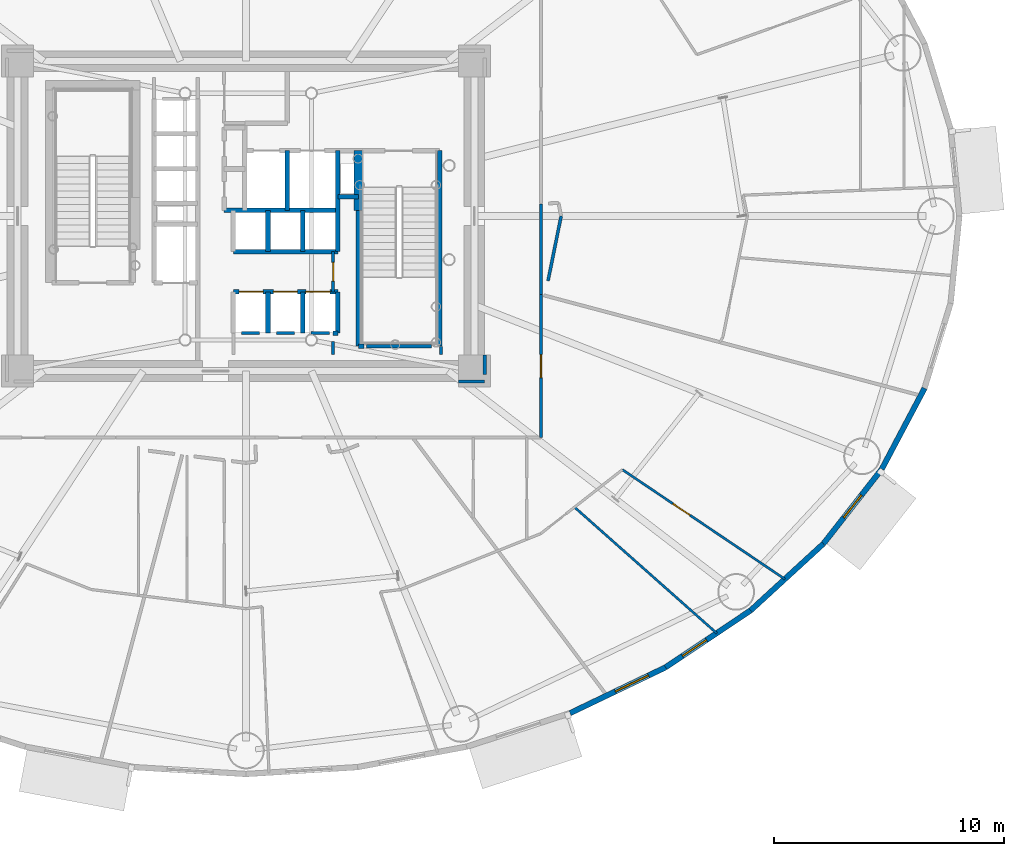
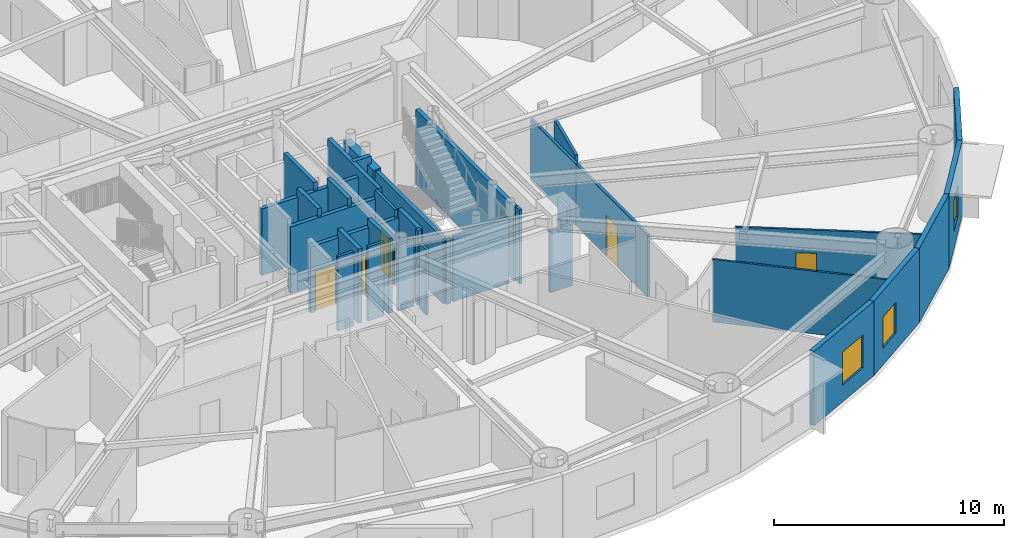
# One storey, part 13 of 24: 35 walls, 6 doors, 3 windows, 9 openings.
"""IFC4 building model written with IfcOpenShell, lengths in metres."""

from ifc_helpers import new_model, si_unit, direction, frame, frame_2d, origin, origin_2d, place, context, subcontext, project, spatial, rectangle, extrude, source, transform, mapped, material, layer, layer_set, type_object, element, fill, save


model = new_model("IFC4")

# Units and contexts
model_context = context("Model", 3, precision=1e-05, world=origin(), true_north=direction((0.0, 1.0)))
body_context = subcontext(model_context, "Body", "Model", "MODEL_VIEW")
ifc_project = project(units=[si_unit("LENGTHUNIT", "METRE"), si_unit("AREAUNIT", "SQUARE_METRE"), si_unit("VOLUMEUNIT", "CUBIC_METRE"), si_unit("PLANEANGLEUNIT", "RADIAN"), si_unit("MASSUNIT", "GRAM", prefix="KILO")], contexts=[model_context])

# Site, building, storey
site_placement = place(None, origin())
site = spatial("IfcSite", under=ifc_project, at=site_placement, CompositionType="ELEMENT")
building_placement = place(site_placement, origin())
building = spatial("IfcBuilding", under=site, at=building_placement, Name="Linh Dai School and Residence Tower", CompositionType="ELEMENT")
storey_placement = place(building_placement, frame((0.0, 0.0, 74.39990234375)))
storey = spatial("IfcBuildingStorey", under=building, at=storey_placement, Name="L17", CompositionType="ELEMENT", Elevation=74.39990234375)

# Wall, opening, window
ifc_material_1 = material(Name="Precast Concrete B45 (C35/45)", Category="concrete")
ifc_layer_1 = layer(ifc_material_1, 0.239990234375)
ifc_layer_set_1 = layer_set([ifc_layer_1], Name="Precast Concrete B45 (C35/45)")
wall_type_1 = type_object("IfcWallType", Name="EW-TC-240", PredefinedType="SOLIDWALL", material=ifc_layer_set_1)
wall_1_placement = place(storey_placement, frame((54.277099609375, 7.34423828125, 0.0), z_axis=(0.0, 0.0, 1.0), x_axis=(-0.901601503137, -0.432567601123, 0.0)))
wall_1 = element("IfcWall", 1, at=wall_1_placement, inside=storey, type_object=wall_type_1, Name="L17 Terracotta Exterior Wall 34", PredefinedType="SOLIDWALL", context=body_context, shape_type="SweptSolid", body=[
    extrude(rectangle(XDim=4.61279296875, YDim=0.239990234375, at=frame_2d((2.306396484375, 0.0))), origin(), (0.0, 0.0, 1.0), 3.9501953125),
])
opening_1_placement = place(wall_1_placement, frame((0.825927734375, 0.0, 0.89990234375)))
opening_1 = element("IfcOpeningElement", 2, at=opening_1_placement, cuts=wall_1, Name="Opening W2", PredefinedType="OPENING", context=body_context, shape_type="SweptSolid", body=[
    extrude(rectangle(XDim=1.60009765625, YDim=1.75, at=origin_2d()), frame((0.800048828125, 0.1298828125, 0.875), z_axis=(0.0, -1.0, 0.0), x_axis=(1.0, 0.0, 0.0)), (0.0, 0.0, 1.0), 0.260009765625),
])
ifc_material_2 = material(Name="Double Low-E Insulated Glazing", Category="glass")
window_type_1 = type_object("IfcWindowType", Name="WN-RES-1600x1750", PartitioningType="DOUBLE_PANEL_VERTICAL", PredefinedType="WINDOW", material=ifc_material_2)
shared_shape_1 = source(origin(), body_context, "Body", "SweptSolid", [
    extrude(rectangle(XDim=1.60009765625, YDim=1.75, at=origin_2d()), frame((0.800048828125, 0.030029296875, 0.875), z_axis=(0.0, -1.0, 0.0), x_axis=(1.0, 0.0, 0.0)), (0.0, 0.0, 1.0), 0.06005859375),
])
window_1_placement = place(opening_1_placement, origin())
window_1 = element("IfcWindow", 3, at=window_1_placement, inside=storey, type_object=window_type_1, Name="L17 Exterior Window 34.1", OverallHeight=1.75, OverallWidth=1.60009765625, PartitioningType="DOUBLE_PANEL_VERTICAL", PredefinedType="WINDOW", context=body_context, shape_type="MappedRepresentation", body=[
    mapped(shared_shape_1, transform((0.0, 0.0, 0.0), x_axis=(1.0, 0.0, 0.0), y_axis=(0.0, 1.0, 0.0), z_axis=(0.0, 0.0, 1.0), scale=1.0)),
])
fill(opening_1, window_1)

wall_2_placement = place(storey_placement, frame((57.984619140625, 9.82373046875, 0.0), z_axis=(0.0, 0.0, 1.0), x_axis=(-0.831240982525, -0.555912249343, 0.0)))
wall_2 = element("IfcWall", 4, at=wall_2_placement, inside=storey, type_object=wall_type_1, Name="L17 Terracotta Exterior Wall 35", PredefinedType="SOLIDWALL", context=body_context, shape_type="SweptSolid", body=[
    extrude(rectangle(XDim=4.460205078125, YDim=0.239990234375, at=frame_2d((2.22998046875, 0.0))), origin(), (0.0, 0.0, 1.0), 3.9501953125),
])
opening_2_placement = place(wall_2_placement, frame((2.318359375, 0.0, 0.89990234375)))
opening_2 = element("IfcOpeningElement", 5, at=opening_2_placement, cuts=wall_2, Name="Opening W3", PredefinedType="OPENING", context=body_context, shape_type="SweptSolid", body=[
    extrude(rectangle(XDim=1.25, YDim=1.64990234375, at=origin_2d()), frame((0.625, 0.1298828125, 0.824951171875), z_axis=(0.0, -1.0, 0.0), x_axis=(1.0, 0.0, 0.0)), (0.0, 0.0, 1.0), 0.260009765625),
])
window_type_2 = type_object("IfcWindowType", Name="WN-RES-1250x1650", PartitioningType="SINGLE_PANEL", PredefinedType="WINDOW", material=ifc_material_2)
shared_shape_2 = source(origin(), body_context, "Body", "SweptSolid", [
    extrude(rectangle(XDim=1.25, YDim=1.64990234375, at=origin_2d()), frame((0.625, 0.030029296875, 0.824951171875), z_axis=(0.0, -1.0, 0.0), x_axis=(1.0, 0.0, 0.0)), (0.0, 0.0, 1.0), 0.06005859375),
])
window_2_placement = place(opening_2_placement, origin())
window_2 = element("IfcWindow", 6, at=window_2_placement, inside=storey, type_object=window_type_2, Name="L17 Exterior Window 35.1", OverallHeight=1.64990234375, OverallWidth=1.25, PartitioningType="SINGLE_PANEL", PredefinedType="WINDOW", context=body_context, shape_type="MappedRepresentation", body=[
    mapped(shared_shape_2, transform((0.0, 0.0, 0.0), x_axis=(1.0, 0.0, 0.0), y_axis=(0.0, 1.0, 0.0), z_axis=(0.0, 0.0, 1.0), scale=1.0)),
])
fill(opening_2, window_2)

# Wall
wall_3_placement = place(storey_placement, frame((61.149658203125, 12.725341796875, 0.0), z_axis=(0.0, 0.0, 1.0), x_axis=(-0.737116376281, -0.67576582321, 0.0)))
element("IfcWall", 7, at=wall_3_placement, inside=storey, type_object=wall_type_1, Name="L17 Terracotta Exterior Wall 36", PredefinedType="SOLIDWALL", context=body_context, shape_type="SweptSolid", body=[
    extrude(rectangle(XDim=4.293701171875, YDim=0.239990234375, at=frame_2d((2.14697265625, 0.0))), origin(), (0.0, 0.0, 1.0), 3.9501953125),
])

# Wall, opening, window
wall_4_placement = place(storey_placement, frame((63.694580078125, 15.977294921875, 0.0), z_axis=(0.0, 0.0, 1.0), x_axis=(-0.616295508253, -0.787514981767, 0.0)))
wall_4 = element("IfcWall", 8, at=wall_4_placement, inside=storey, type_object=wall_type_1, Name="L17 Terracotta Exterior Wall 37", PredefinedType="SOLIDWALL", context=body_context, shape_type="SweptSolid", body=[
    extrude(rectangle(XDim=4.12939453125, YDim=0.239990234375, at=frame_2d((2.064697265625, 0.0))), origin(), (0.0, 0.0, 1.0), 3.9501953125),
])
opening_3_placement = place(wall_4_placement, frame((1.439697265625, 0.0, 0.89990234375)))
opening_3 = element("IfcOpeningElement", 9, at=opening_3_placement, cuts=wall_4, Name="Opening W3", PredefinedType="OPENING", context=body_context, shape_type="SweptSolid", body=[
    extrude(rectangle(XDim=1.25, YDim=1.64990234375, at=origin_2d()), frame((0.625, 0.1298828125, 0.824951171875), z_axis=(0.0, -1.0, 0.0), x_axis=(1.0, 0.0, 0.0)), (0.0, 0.0, 1.0), 0.260009765625),
])
window_3_placement = place(opening_3_placement, origin())
window_3 = element("IfcWindow", 10, at=window_3_placement, inside=storey, type_object=window_type_2, Name="L17 Dwelling Window U1706-LIV", OverallHeight=1.64990234375, OverallWidth=1.25, PartitioningType="SINGLE_PANEL", PredefinedType="WINDOW", context=body_context, shape_type="MappedRepresentation", body=[
    mapped(shared_shape_2, transform((0.0, 0.0, 0.0), x_axis=(1.0, 0.0, 0.0), y_axis=(0.0, 1.0, 0.0), z_axis=(0.0, 0.0, 1.0), scale=1.0)),
])
fill(opening_3, window_3)

# Wall
wall_5_placement = place(storey_placement, frame((65.5576171875, 19.49853515625, 0.0), z_axis=(0.0, 0.0, 1.0), x_axis=(-0.467662443071, -0.883907144072, 0.0)))
element("IfcWall", 11, at=wall_5_placement, inside=storey, type_object=wall_type_1, Name="L17 Terracotta Exterior Wall 38", PredefinedType="SOLIDWALL", context=body_context, shape_type="SweptSolid", body=[
    extrude(rectangle(XDim=3.983642578125, YDim=0.239990234375, at=frame_2d((1.99169921875, 0.0))), origin(), (0.0, 0.0, 1.0), 3.9501953125),
])

# Wall, opening, door
ifc_material_3 = material(Name="Autoclaved Aerated Concrete Blockwork", Category="masonry")
ifc_layer_2 = layer(ifc_material_3, 0.135009765625)
ifc_layer_set_2 = layer_set([ifc_layer_2], Name="Autoclaved Aerated Concrete Blockwork")
wall_type_2 = type_object("IfcWallType", Name="IW-CORR-135-EI90", PredefinedType="PARTITIONING", material=ifc_layer_set_2)
wall_6_placement = place(storey_placement, frame((39.800048828125, 23.699951171875, 0.0), z_axis=(0.0, 0.0, 1.0), x_axis=(0.0, 1.0, 0.0)))
wall_6 = element("IfcWall", 12, at=wall_6_placement, inside=storey, type_object=wall_type_2, Name="L17 Interior Partition Wall 076", PredefinedType="PARTITIONING", context=body_context, shape_type="SweptSolid", body=[
    extrude(rectangle(XDim=1.75, YDim=0.135009765625, at=frame_2d((0.875, 0.0))), origin(), (0.0, 0.0, 1.0), 3.9501953125),
])
opening_4_placement = place(wall_6_placement, frame((0.465087890625, 0.0, 0.0)))
opening_4 = element("IfcOpeningElement", 13, at=opening_4_placement, cuts=wall_6, Name="Opening D06", PredefinedType="OPENING", context=body_context, shape_type="SweptSolid", body=[
    extrude(rectangle(XDim=0.820068359375, YDim=2.10009765625, at=origin_2d()), frame((0.41015625, 0.07763671875, 1.050048828125), z_axis=(0.0, -1.0, 0.0), x_axis=(1.0, 0.0, 0.0)), (0.0, 0.0, 1.0), 0.155029296875),
])
ifc_material_4 = material(Name="Moisture-Resistant Timber Bathroom Door", Category="wood")
door_type_1 = type_object("IfcDoorType", Name="DR-WET-820x2100", OperationType="NOTDEFINED", PredefinedType="DOOR", material=ifc_material_4)
shared_shape_3 = source(origin(), body_context, "Body", "SweptSolid", [
    extrude(rectangle(XDim=0.820068359375, YDim=2.10009765625, at=origin_2d()), frame((0.41015625, 0.02490234375, 1.050048828125), z_axis=(0.0, -1.0, 0.0), x_axis=(1.0, 0.0, 0.0)), (0.0, 0.0, 1.0), 0.050048828125),
])
door_1_placement = place(opening_4_placement, origin())
door_1 = element("IfcDoor", 14, at=door_1_placement, inside=storey, type_object=door_type_1, Name="L17 East Linen Store Door", OperationType="SINGLE_SWING_RIGHT", OverallHeight=2.10009765625, OverallWidth=0.820068359375, PredefinedType="DOOR", context=body_context, shape_type="MappedRepresentation", body=[
    mapped(shared_shape_3, transform((0.0, 0.0, 0.0), x_axis=(1.0, 0.0, 0.0), y_axis=(0.0, 1.0, 0.0), z_axis=(0.0, 0.0, 1.0), scale=1.0)),
])
fill(opening_4, door_1)

wall_7_placement = place(storey_placement, frame((48.85009765625, 17.35009765625, 0.0), z_axis=(0.0, 0.0, 1.0), x_axis=(0.0, 1.0, 0.0)))
wall_7 = element("IfcWall", 15, at=wall_7_placement, inside=storey, type_object=wall_type_2, Name="L17 Interior Partition Wall 094", PredefinedType="PARTITIONING", context=body_context, shape_type="SweptSolid", body=[
    extrude(rectangle(XDim=6.23046875, YDim=0.135009765625, at=frame_2d((3.115234375, 0.0))), origin(), (0.0, 0.0, 1.0), 3.28515625),
])
opening_5_placement = place(wall_7_placement, frame((2.615234375, 0.0, 0.0)))
opening_5 = element("IfcOpeningElement", 16, at=opening_5_placement, cuts=wall_7, Name="Opening D03", PredefinedType="OPENING", context=body_context, shape_type="SweptSolid", body=[
    extrude(rectangle(XDim=1.0, YDim=2.14990234375, at=origin_2d()), frame((0.5, 0.07763671875, 1.074951171875), z_axis=(0.0, -1.0, 0.0), x_axis=(1.0, 0.0, 0.0)), (0.0, 0.0, 1.0), 0.155029296875),
])
ifc_material_5 = material(Name="Fire-Rated Solid Timber Entrance Door", Category="wood")
door_type_2 = type_object("IfcDoorType", Name="DR-FLAT-1000x2150-FD60S", OperationType="NOTDEFINED", PredefinedType="DOOR", material=ifc_material_5)
shared_shape_4 = source(origin(), body_context, "Body", "SweptSolid", [
    extrude(rectangle(XDim=1.0, YDim=2.14990234375, at=origin_2d()), frame((0.5, 0.02490234375, 1.074951171875), z_axis=(0.0, -1.0, 0.0), x_axis=(1.0, 0.0, 0.0)), (0.0, 0.0, 1.0), 0.050048828125),
])
door_2_placement = place(opening_5_placement, origin())
door_2 = element("IfcDoor", 17, at=door_2_placement, inside=storey, type_object=door_type_2, Name="L17 U1706 Apartment Entrance Door", OperationType="SINGLE_SWING_LEFT", OverallHeight=2.14990234375, OverallWidth=1.0, PredefinedType="DOOR", context=body_context, shape_type="MappedRepresentation", body=[
    mapped(shared_shape_4, transform((0.0, 0.0, 0.0), x_axis=(1.0, 0.0, 0.0), y_axis=(0.0, 1.0, 0.0), z_axis=(0.0, 0.0, 1.0), scale=1.0)),
])
fill(opening_5, door_2)

# Walls
wall_8_placement = place(storey_placement, frame((44.080078125, 21.330078125, 0.0), z_axis=(0.0, 0.0, 1.0), x_axis=(-1.0, 0.0, 0.0)))
element("IfcWall", 18, at=wall_8_placement, inside=storey, type_object=wall_type_2, Name="L17 Interior Partition Wall 111", PredefinedType="PARTITIONING", context=body_context, shape_type="SweptSolid", body=[
    extrude(rectangle(XDim=2.820068359375, YDim=0.135009765625, at=frame_2d((1.41015625, 0.0))), origin(), (0.0, 0.0, 1.0), 3.485107421875),
])
wall_9_placement = place(storey_placement, frame((36.60009765625, 21.89990234375, 0.0), z_axis=(0.0, 0.0, 1.0), x_axis=(-1.0, 0.0, 0.0)))
element("IfcWall", 19, at=wall_9_placement, inside=storey, type_object=wall_type_2, Name="L17 Interior Partition Wall 112", PredefinedType="PARTITIONING", context=body_context, shape_type="SweptSolid", body=[
    extrude(rectangle(XDim=0.7900390625, YDim=0.135009765625, at=frame_2d((0.39501953125, 0.0))), origin(), (0.0, 0.0, 1.0), 3.9501953125),
])
wall_10_placement = place(storey_placement, frame((38.1201171875, 21.89990234375, 0.0), z_axis=(0.0, 0.0, 1.0), x_axis=(-1.0, 0.0, 0.0)))
element("IfcWall", 20, at=wall_10_placement, inside=storey, type_object=wall_type_2, Name="L17 Interior Partition Wall 113", PredefinedType="PARTITIONING", context=body_context, shape_type="SweptSolid", body=[
    extrude(rectangle(XDim=0.800048828125, YDim=0.135009765625, at=frame_2d((0.39990234375, 0.0))), origin(), (0.0, 0.0, 1.0), 3.9501953125),
])
wall_11_placement = place(storey_placement, frame((39.639892578125, 21.89990234375, 0.0), z_axis=(0.0, 0.0, 1.0), x_axis=(-1.0, 0.0, 0.0)))
element("IfcWall", 21, at=wall_11_placement, inside=storey, type_object=wall_type_2, Name="L17 Interior Partition Wall 114", PredefinedType="PARTITIONING", context=body_context, shape_type="SweptSolid", body=[
    extrude(rectangle(XDim=0.7998046875, YDim=0.135009765625, at=frame_2d((0.39990234375, 0.0))), origin(), (0.0, 0.0, 1.0), 3.53515625),
])
wall_12_placement = place(storey_placement, frame((39.800048828125, 20.9599609375, 0.0), z_axis=(0.0, 0.0, 1.0), x_axis=(0.0, 1.0, 0.0)))
element("IfcWall", 22, at=wall_12_placement, inside=storey, type_object=wall_type_2, Name="L17 Interior Partition Wall 116", PredefinedType="PARTITIONING", context=body_context, shape_type="SweptSolid", body=[
    extrude(rectangle(XDim=0.580078125, YDim=0.135009765625, at=frame_2d((0.2900390625, 0.0))), origin(), (0.0, 0.0, 1.0), 3.485107421875),
])
wall_13_placement = place(storey_placement, frame((44.5, 20.9599609375, 0.0), z_axis=(0.0, 0.0, 1.0), x_axis=(0.0, 1.0, 0.0)))
element("IfcWall", 23, at=wall_13_placement, inside=storey, type_object=wall_type_2, Name="L17 Interior Partition Wall 118", PredefinedType="PARTITIONING", context=body_context, shape_type="SweptSolid", body=[
    extrude(rectangle(XDim=0.360107421875, YDim=0.135009765625, at=frame_2d((0.18017578125, 0.0))), origin(), (0.0, 0.0, 1.0), 3.9501953125),
])
wall_14_placement = place(storey_placement, frame((48.85009765625, 27.5283203125, 0.0), z_axis=(0.0, 0.0, 1.0), x_axis=(0.0, -1.0, 0.0)))
element("IfcWall", 24, at=wall_14_placement, inside=storey, type_object=wall_type_2, Name="L17 Interior Partition Wall 123", PredefinedType="PARTITIONING", context=body_context, shape_type="SweptSolid", body=[
    extrude(rectangle(XDim=3.937744140625, YDim=0.135009765625, at=frame_2d((1.96875, 0.0))), origin(), (0.0, 0.0, 1.0), 3.28515625),
])
wall_15_placement = place(storey_placement, frame((45.260009765625, 19.800048828125, 0.0), z_axis=(0.0, 0.0, 1.0), x_axis=(1.0, 0.0, 0.0)))
element("IfcWall", 25, at=wall_15_placement, inside=storey, type_object=wall_type_2, Name="L17 Interior Partition Wall 132", PredefinedType="PARTITIONING", context=body_context, shape_type="SweptSolid", body=[
    extrude(rectangle(XDim=1.139892578125, YDim=0.135009765625, at=frame_2d((0.56982421875, 0.0))), origin(), (0.0, 0.0, 1.0), 3.28515625),
])
wall_16_placement = place(storey_placement, frame((46.39990234375, 20.107421875, 0.0), z_axis=(0.0, 0.0, 1.0), x_axis=(0.0, 1.0, 0.0)))
element("IfcWall", 26, at=wall_16_placement, inside=storey, type_object=wall_type_2, Name="L17 Interior Partition Wall 133", PredefinedType="PARTITIONING", context=body_context, shape_type="SweptSolid", body=[
    extrude(rectangle(XDim=0.83251953125, YDim=0.135009765625, at=frame_2d((0.416259765625, 0.0))), origin(), (0.0, 0.0, 1.0), 3.9501953125),
])
wall_17_placement = place(storey_placement, frame((49.157470703125, 24.1796875, 0.0), z_axis=(0.0, 0.0, 1.0), x_axis=(0.19828576171, 0.980144253007, 0.0)))
element("IfcWall", 27, at=wall_17_placement, inside=storey, type_object=wall_type_2, Name="L17 Interior Partition Wall 152", PredefinedType="PARTITIONING", context=body_context, shape_type="SweptSolid", body=[
    extrude(rectangle(XDim=2.87744140625, YDim=0.135009765625, at=frame_2d((1.438720703125, 0.0))), origin(), (0.0, 0.0, 1.0), 3.28515625),
])
ifc_material_6 = material(Name="Concrete B45 (C35/45)", Category="concrete")
ifc_layer_3 = layer(ifc_material_6, 0.199951171875)
ifc_layer_set_3 = layer_set([ifc_layer_3], Name="Concrete B45 (C35/45)")
wall_type_3 = type_object("IfcWallType", Name="IW-SHAFT-200-EI120", PredefinedType="PARTITIONING", material=ifc_layer_set_3)
wall_18_placement = place(storey_placement, frame((35.050048828125, 27.25, 0.0), z_axis=(0.0, 0.0, 1.0), x_axis=(1.0, 0.0, 0.0)))
element("IfcWall", 28, at=wall_18_placement, inside=storey, type_object=wall_type_3, Name="L17 Interior Partition Wall 048", PredefinedType="PARTITIONING", context=body_context, shape_type="SweptSolid", body=[
    extrude(rectangle(XDim=4.949951171875, YDim=0.199951171875, at=frame_2d((2.47509765625, 0.0))), origin(), (0.0, 0.0, 1.0), 3.53515625),
])

# Wall, openings, doors
wall_19_placement = place(storey_placement, frame((35.449951171875, 23.699951171875, 0.0), z_axis=(0.0, 0.0, 1.0), x_axis=(1.0, 0.0, 0.0)))
wall_19 = element("IfcWall", 29, at=wall_19_placement, inside=storey, type_object=wall_type_3, Name="L17 Interior Partition Wall 055", PredefinedType="PARTITIONING", context=body_context, shape_type="SweptSolid", body=[
    extrude(rectangle(XDim=4.550048828125, YDim=0.199951171875, at=frame_2d((2.27490234375, 0.0))), origin(), (0.0, 0.0, 1.0), 3.53515625),
])
opening_6_placement = place(wall_19_placement, frame((0.25, 0.0, 0.0)))
opening_6 = element("IfcOpeningElement", 30, at=opening_6_placement, cuts=wall_19, Name="Opening LD-PL1", PredefinedType="OPENING", context=body_context, shape_type="SweptSolid", body=[
    extrude(rectangle(XDim=1.050048828125, YDim=2.14990234375, at=origin_2d()), frame((0.52490234375, 0.10986328125, 1.074951171875), z_axis=(0.0, -1.0, 0.0), x_axis=(1.0, 0.0, 0.0)), (0.0, 0.0, 1.0), 0.219970703125),
])
opening_7_placement = place(wall_19_placement, frame((1.7451171875, 0.0, 0.0)))
opening_7 = element("IfcOpeningElement", 31, at=opening_7_placement, cuts=wall_19, Name="Opening LD-PL2", PredefinedType="OPENING", context=body_context, shape_type="SweptSolid", body=[
    extrude(rectangle(XDim=1.050048828125, YDim=2.14990234375, at=origin_2d()), frame((0.52490234375, 0.10986328125, 1.074951171875), z_axis=(0.0, -1.0, 0.0), x_axis=(1.0, 0.0, 0.0)), (0.0, 0.0, 1.0), 0.219970703125),
])
opening_8_placement = place(wall_19_placement, frame((3.1650390625, 0.0, 0.0)))
opening_8 = element("IfcOpeningElement", 32, at=opening_8_placement, cuts=wall_19, Name="Opening LD-PL3", PredefinedType="OPENING", context=body_context, shape_type="SweptSolid", body=[
    extrude(rectangle(XDim=1.050048828125, YDim=2.14990234375, at=origin_2d()), frame((0.52490234375, 0.10986328125, 1.074951171875), z_axis=(0.0, -1.0, 0.0), x_axis=(1.0, 0.0, 0.0)), (0.0, 0.0, 1.0), 0.219970703125),
])
ifc_material_7 = material(Name="Brushed Stainless Steel Lift Landing Door", Category="steel")
door_type_3 = type_object("IfcDoorType", Name="DR-LD-PASS-1050x2150", OperationType="DOUBLE_DOOR_SLIDING", PredefinedType="USERDEFINED", material=ifc_material_7)
shared_shape_5 = source(origin(), body_context, "Body", "SweptSolid", [
    extrude(rectangle(XDim=1.050048828125, YDim=2.14990234375, at=origin_2d()), frame((0.52490234375, 0.02490234375, 1.074951171875), z_axis=(0.0, -1.0, 0.0), x_axis=(1.0, 0.0, 0.0)), (0.0, 0.0, 1.0), 0.050048828125),
])
door_3_placement = place(opening_6_placement, origin())
door_3 = element("IfcDoor", 33, at=door_3_placement, inside=storey, type_object=door_type_3, Name="L17 Lift PL1 Sliding Landing Door", ObjectType="LANDING DOOR", OperationType="DOUBLE_DOOR_SLIDING", OverallHeight=2.14990234375, OverallWidth=1.050048828125, PredefinedType="USERDEFINED", context=body_context, shape_type="MappedRepresentation", body=[
    mapped(shared_shape_5, transform((0.0, 0.0, 0.0), x_axis=(1.0, 0.0, 0.0), y_axis=(0.0, 1.0, 0.0), z_axis=(0.0, 0.0, 1.0), scale=1.0)),
])
fill(opening_6, door_3)
door_4_placement = place(opening_7_placement, origin())
door_4 = element("IfcDoor", 34, at=door_4_placement, inside=storey, type_object=door_type_3, Name="L17 Lift PL2 Sliding Landing Door", ObjectType="LANDING DOOR", OperationType="DOUBLE_DOOR_SLIDING", OverallHeight=2.14990234375, OverallWidth=1.050048828125, PredefinedType="USERDEFINED", context=body_context, shape_type="MappedRepresentation", body=[
    mapped(shared_shape_5, transform((0.0, 0.0, 0.0), x_axis=(1.0, 0.0, 0.0), y_axis=(0.0, 1.0, 0.0), z_axis=(0.0, 0.0, 1.0), scale=1.0)),
])
fill(opening_7, door_4)
door_5_placement = place(opening_8_placement, origin())
door_5 = element("IfcDoor", 35, at=door_5_placement, inside=storey, type_object=door_type_3, Name="L17 Lift PL3 Sliding Landing Door", ObjectType="LANDING DOOR", OperationType="DOUBLE_DOOR_SLIDING", OverallHeight=2.14990234375, OverallWidth=1.050048828125, PredefinedType="USERDEFINED", context=body_context, shape_type="MappedRepresentation", body=[
    mapped(shared_shape_5, transform((0.0, 0.0, 0.0), x_axis=(1.0, 0.0, 0.0), y_axis=(0.0, 1.0, 0.0), z_axis=(0.0, 0.0, 1.0), scale=1.0)),
])
fill(opening_8, door_5)

# Walls
wall_20_placement = place(storey_placement, frame((35.449951171875, 25.449951171875, 0.0), z_axis=(0.0, 0.0, 1.0), x_axis=(1.0, 0.0, 0.0)))
element("IfcWall", 36, at=wall_20_placement, inside=storey, type_object=wall_type_3, Name="L17 Interior Partition Wall 057", PredefinedType="PARTITIONING", context=body_context, shape_type="SweptSolid", body=[
    extrude(rectangle(XDim=4.550048828125, YDim=0.199951171875, at=frame_2d((2.27490234375, 0.0))), origin(), (0.0, 0.0, 1.0), 3.53515625),
])
for number, where, z_axis, x_axis, name in (
    (37, (36.9599609375, 21.89990234375, 0.0), (0.0, 0.0, 1.0), (0.0, 1.0, 0.0), "L17 Interior Partition Wall 065"),
    (38, (36.9599609375, 25.449951171875, 0.0), (0.0, 0.0, 1.0), (0.0, 1.0, 0.0), "L17 Interior Partition Wall 066"),
):
    element("IfcWall", number, at=place(storey_placement, frame(where, z_axis=z_axis, x_axis=x_axis)), inside=storey, type_object=wall_type_3, Name=name, PredefinedType="PARTITIONING", context=body_context, shape_type="SweptSolid", body=[
        extrude(rectangle(XDim=1.800048828125, YDim=0.199951171875, at=frame_2d((0.89990234375, 0.0))), origin(), (0.0, 0.0, 1.0), 3.9501953125),
    ])
wall_21_placement = place(storey_placement, frame((37.800048828125, 27.25, 0.0), z_axis=(0.0, 0.0, 1.0), x_axis=(0.0, 1.0, 0.0)))
element("IfcWall", 39, at=wall_21_placement, inside=storey, type_object=wall_type_3, Name="L17 Interior Partition Wall 068", PredefinedType="PARTITIONING", context=body_context, shape_type="SweptSolid", body=[
    extrude(rectangle(XDim=2.60009765625, YDim=0.199951171875, at=frame_2d((1.300048828125, 0.0))), origin(), (0.0, 0.0, 1.0), 3.9501953125),
])
for number, where, z_axis, x_axis, name in (
    (40, (38.47998046875, 21.89990234375, 0.0), (0.0, 0.0, 1.0), (0.0, 1.0, 0.0), "L17 Interior Partition Wall 070"),
    (41, (38.47998046875, 25.449951171875, 0.0), (0.0, 0.0, 1.0), (0.0, 1.0, 0.0), "L17 Interior Partition Wall 071"),
):
    element("IfcWall", number, at=place(storey_placement, frame(where, z_axis=z_axis, x_axis=x_axis)), inside=storey, type_object=wall_type_3, Name=name, PredefinedType="PARTITIONING", context=body_context, shape_type="SweptSolid", body=[
        extrude(rectangle(XDim=1.800048828125, YDim=0.199951171875, at=frame_2d((0.89990234375, 0.0))), origin(), (0.0, 0.0, 1.0), 3.9501953125),
    ])
wall_22_placement = place(storey_placement, frame((39.800048828125, 21.89990234375, 0.0), z_axis=(0.0, 0.0, 1.0), x_axis=(1.0, 0.0, 0.0)))
element("IfcWall", 42, at=wall_22_placement, inside=storey, type_object=wall_type_3, Name="L17 Interior Partition Wall 075", PredefinedType="PARTITIONING", context=body_context, shape_type="SweptSolid", body=[
    extrude(rectangle(XDim=0.199951171875, YDim=0.199951171875, at=frame_2d((0.10009765625, 0.0))), origin(), (0.0, 0.0, 1.0), 3.9501953125),
])
wall_23_placement = place(storey_placement, frame((40.0, 21.89990234375, 0.0), z_axis=(0.0, 0.0, 1.0), x_axis=(0.0, 1.0, 0.0)))
element("IfcWall", 43, at=wall_23_placement, inside=storey, type_object=wall_type_3, Name="L17 Interior Partition Wall 077", PredefinedType="PARTITIONING", context=body_context, shape_type="SweptSolid", body=[
    extrude(rectangle(XDim=1.800048828125, YDim=0.199951171875, at=frame_2d((0.89990234375, 0.0))), origin(), (0.0, 0.0, 1.0), 3.9501953125),
])
wall_24_placement = place(storey_placement, frame((40.0, 25.449951171875, 0.0), z_axis=(0.0, 0.0, 1.0), x_axis=(0.0, 1.0, 0.0)))
element("IfcWall", 44, at=wall_24_placement, inside=storey, type_object=wall_type_3, Name="L17 Interior Partition Wall 078", PredefinedType="PARTITIONING", context=body_context, shape_type="SweptSolid", body=[
    extrude(rectangle(XDim=4.400146484375, YDim=0.199951171875, at=frame_2d((2.2001953125, 0.0))), origin(), (0.0, 0.0, 1.0), 3.9501953125),
])
wall_25_placement = place(storey_placement, frame((40.0, 27.85009765625, 0.0), z_axis=(0.0, 0.0, 1.0), x_axis=(1.0, 0.0, 0.0)))
element("IfcWall", 45, at=wall_25_placement, inside=storey, type_object=wall_type_3, Name="L17 Interior Partition Wall 079", PredefinedType="PARTITIONING", context=body_context, shape_type="SweptSolid", body=[
    extrude(rectangle(XDim=0.89990234375, YDim=0.199951171875, at=frame_2d((0.449951171875, 0.0))), origin(), (0.0, 0.0, 1.0), 3.9501953125),
])
wall_26_placement = place(storey_placement, frame((40.89990234375, 21.330078125, 0.0), z_axis=(0.0, 0.0, 1.0), x_axis=(0.0, 1.0, 0.0)))
element("IfcWall", 46, at=wall_26_placement, inside=storey, type_object=wall_type_3, Name="L17 Interior Partition Wall 082", PredefinedType="PARTITIONING", context=body_context, shape_type="SweptSolid", body=[
    extrude(rectangle(XDim=5.909912109375, YDim=0.199951171875, at=frame_2d((2.955078125, 0.0))), origin(), (0.0, 0.0, 1.0), 3.485107421875),
])
wall_27_placement = place(storey_placement, frame((40.89990234375, 21.330078125, 0.0), z_axis=(0.0, 0.0, 1.0), x_axis=(1.0, 0.0, 0.0)))
element("IfcWall", 47, at=wall_27_placement, inside=storey, type_object=wall_type_3, Name="L17 Interior Partition Wall 083", PredefinedType="PARTITIONING", context=body_context, shape_type="SweptSolid", body=[
    extrude(rectangle(XDim=0.25, YDim=0.199951171875, at=frame_2d((0.125, 0.0))), origin(), (0.0, 0.0, 1.0), 3.485107421875),
])
wall_28_placement = place(storey_placement, frame((44.43994140625, 21.330078125, 0.0), z_axis=(0.0, 0.0, 1.0), x_axis=(0.0, 1.0, 0.0)))
element("IfcWall", 48, at=wall_28_placement, inside=storey, type_object=wall_type_3, Name="L17 Interior Partition Wall 090", PredefinedType="PARTITIONING", context=body_context, shape_type="SweptSolid", body=[
    extrude(rectangle(XDim=8.52001953125, YDim=0.199951171875, at=frame_2d((4.260009765625, 0.0))), origin(), (0.0, 0.0, 1.0), 3.9501953125),
])
ifc_material_8 = material(Name="Gypsum Plasterboard Acoustic Stud Partition", Category="masonry")
ifc_layer_4 = layer(ifc_material_8, 0.10009765625)
ifc_layer_set_4 = layer_set([ifc_layer_4], Name="Gypsum Plasterboard Acoustic Stud Partition")
wall_type_4 = type_object("IfcWallType", Name="IW-UNIT-100", PredefinedType="PARTITIONING", material=ifc_layer_set_4)
wall_29_placement = place(storey_placement, frame((50.31103515625, 14.319091796875, 0.0), z_axis=(0.0, 0.0, 1.0), x_axis=(0.748425458021, -0.663218918447, 0.0)))
element("IfcWall", 49, at=wall_29_placement, inside=storey, type_object=wall_type_4, Name="L17 Interior Partition Wall 098", PredefinedType="PARTITIONING", context=body_context, shape_type="SweptSolid", body=[
    extrude(rectangle(XDim=8.27783203125, YDim=0.10009765625, at=frame_2d((4.138916015625, 0.0))), origin(), (0.0, 0.0, 1.0), 3.335205078125),
])

# Wall, opening, door
wall_30_placement = place(storey_placement, frame((52.39794921875, 15.953125, 0.0), z_axis=(0.0, 0.0, 1.0), x_axis=(0.829356044666, -0.558720458884, 0.0)))
wall_30 = element("IfcWall", 50, at=wall_30_placement, inside=storey, type_object=wall_type_4, Name="L17 Interior Partition Wall 100", PredefinedType="PARTITIONING", context=body_context, shape_type="SweptSolid", body=[
    extrude(rectangle(XDim=8.53466796875, YDim=0.10009765625, at=frame_2d((4.267333984375, 0.0))), origin(), (0.0, 0.0, 1.0), 3.335205078125),
])
opening_9_placement = place(wall_30_placement, frame((2.642822265625, 0.0, 0.0)))
opening_9 = element("IfcOpeningElement", 51, at=opening_9_placement, cuts=wall_30, Name="Opening D05", PredefinedType="OPENING", context=body_context, shape_type="SweptSolid", body=[
    extrude(rectangle(XDim=0.89990234375, YDim=2.10009765625, at=origin_2d()), frame((0.449951171875, 0.06005859375, 1.050048828125), z_axis=(0.0, -1.0, 0.0), x_axis=(1.0, 0.0, 0.0)), (0.0, 0.0, 1.0), 0.1201171875),
])
ifc_material_9 = material(Name="Engineered Timber Internal Door", Category="wood")
door_type_4 = type_object("IfcDoorType", Name="DR-INT-900x2100", OperationType="NOTDEFINED", PredefinedType="DOOR", material=ifc_material_9)
shared_shape_6 = source(origin(), body_context, "Body", "SweptSolid", [
    extrude(rectangle(XDim=0.89990234375, YDim=2.10009765625, at=origin_2d()), frame((0.449951171875, 0.02490234375, 1.050048828125), z_axis=(0.0, -1.0, 0.0), x_axis=(1.0, 0.0, 0.0)), (0.0, 0.0, 1.0), 0.050048828125),
])
door_6_placement = place(opening_9_placement, origin())
door_6 = element("IfcDoor", 52, at=door_6_placement, inside=storey, type_object=door_type_4, Name="L17 Apartment U1706 Study Door", OperationType="SINGLE_SWING_LEFT", OverallHeight=2.10009765625, OverallWidth=0.89990234375, PredefinedType="DOOR", context=body_context, shape_type="MappedRepresentation", body=[
    mapped(shared_shape_6, transform((0.0, 0.0, 0.0), x_axis=(1.0, 0.0, 0.0), y_axis=(0.0, 1.0, 0.0), z_axis=(0.0, 0.0, 1.0), scale=1.0)),
])
fill(opening_9, door_6)

# Wall
ifc_layer_5 = layer(ifc_material_6, 0.39990234375)
ifc_layer_set_5 = layer_set([ifc_layer_5], Name="Concrete B45 (C35/45)")
wall_type_5 = type_object("IfcWallType", Name="WL-CORE400", PredefinedType="SHEAR", material=ifc_layer_set_5)
wall_31_placement = place(storey_placement, frame((40.89990234375, 27.25, 0.0), z_axis=(0.0, 0.0, 1.0), x_axis=(0.0, 1.0, 0.0)))
element("IfcWall", 53, at=wall_31_placement, inside=storey, type_object=wall_type_5, Name="L17 Internal Core Shear Wall IE", PredefinedType="SHEAR", context=body_context, shape_type="SweptSolid", body=[
    extrude(rectangle(XDim=2.60009765625, YDim=0.39990234375, at=frame_2d((1.300048828125, 0.0))), origin(), (0.0, 0.0, 1.0), 3.550048828125),
])

save(model, "model.ifc")
